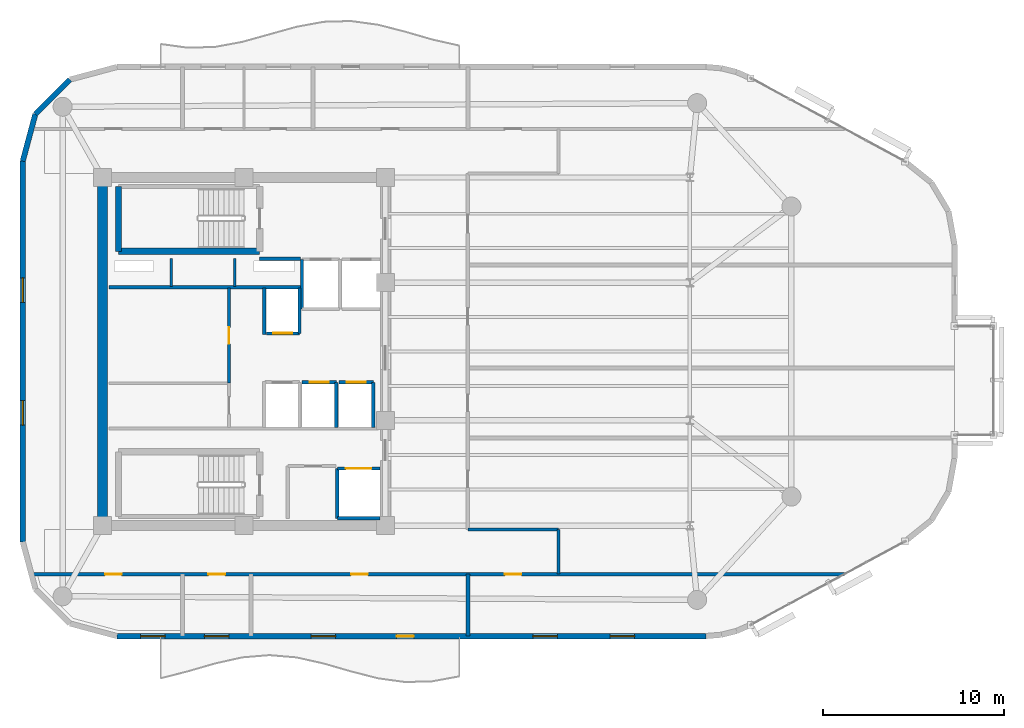
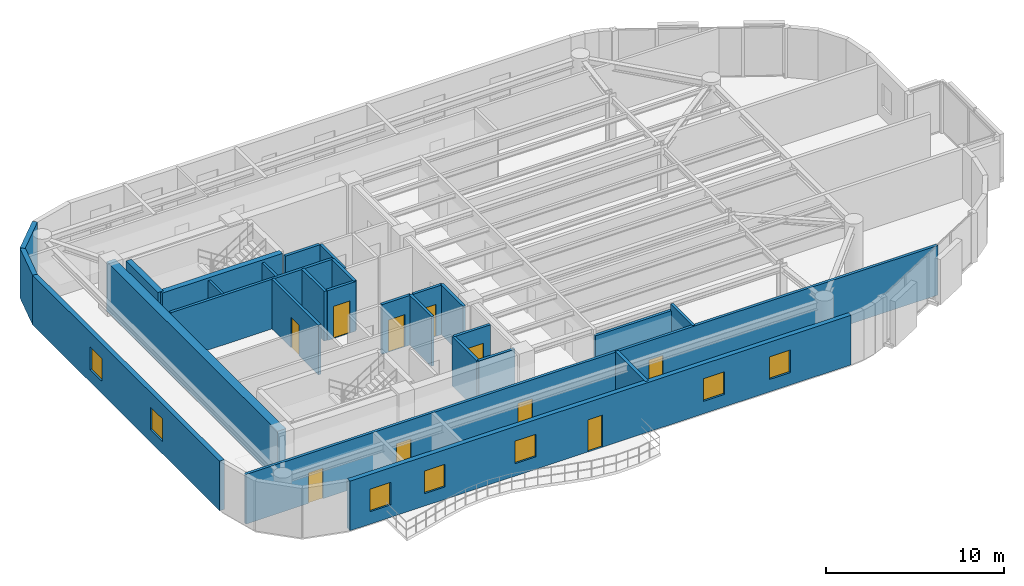
# One storey, part 10 of 14: 27 walls, 10 doors, 7 windows, 17 openings.
"""IFC4 building model written with IfcOpenShell, lengths in metres."""

from ifc_helpers import new_model, si_unit, direction, frame, frame_2d, origin, place, context, subcontext, project, spatial, rectangle, extrude, material, layer, layer_set, type_object, element, fill, save


model = new_model("IFC4")

# Units and contexts
model_context = context("Model", 3, precision=1e-05, world=origin(), true_north=direction((0.0, 1.0)))
body_context = subcontext(model_context, "Body", "Model", "MODEL_VIEW")
ifc_project = project(units=[si_unit("LENGTHUNIT", "METRE"), si_unit("AREAUNIT", "SQUARE_METRE"), si_unit("VOLUMEUNIT", "CUBIC_METRE"), si_unit("PLANEANGLEUNIT", "RADIAN"), si_unit("MASSUNIT", "GRAM", prefix="KILO")], contexts=[model_context])

# Site, building, storey
site_placement = place(None, origin())
site = spatial("IfcSite", under=ifc_project, at=site_placement, CompositionType="ELEMENT")
building_placement = place(site_placement, origin())
building = spatial("IfcBuilding", under=site, at=building_placement, Name="An Khanh Terracotta Commons", CompositionType="ELEMENT")
storey_placement = place(building_placement, frame((0.0, 0.0, 219.300048828125)))
storey = spatial("IfcBuildingStorey", under=building, at=storey_placement, Name="L57", CompositionType="ELEMENT", Elevation=219.300048828125)

# Walls
ifc_material_1 = material(Name="Concrete C50/60", Category="concrete")
ifc_layer_1 = layer(ifc_material_1, 0.550048828125, Name="Concrete C50/60")
ifc_layer_set_1 = layer_set([ifc_layer_1], Name="Concrete C50/60")
wall_type_1 = type_object("IfcWallType", Name="WALL-CORE-550", PredefinedType="SHEAR", material=ifc_layer_set_1)
wall_1_placement = place(storey_placement, frame((21.60009765625, 14.39990234375, 0.0), z_axis=(0.0, 0.0, 1.0), x_axis=(0.0, 1.0, 0.0)))
element("IfcWall", 1, at=wall_1_placement, inside=storey, type_object=wall_type_1, Name="L57 Core Wall CWALL-L57-W", PredefinedType="SHEAR", context=body_context, shape_type="SweptSolid", body=[
    extrude(rectangle(XDim=19.2001953125, YDim=0.550048828125, at=frame_2d((9.60009765625, 0.0))), origin(), (0.0, 0.0, 1.0), 3.39990234375),
])
ifc_material_2 = material(Name="Fire-Rated Gypsum Board on Steel Stud", Category="steel")
ifc_layer_2 = layer(ifc_material_2, 0.179931640625, Name="Fire-Rated Gypsum Board on Steel Stud")
ifc_layer_set_2 = layer_set([ifc_layer_2], Name="Fire-Rated Gypsum Board on Steel Stud")
wall_type_2 = type_object("IfcWallType", Name="WALL-CORR-180", PredefinedType="PARTITIONING", material=ifc_layer_set_2)
wall_2_placement = place(storey_placement, frame((30.27001953125, 29.1201171875, 0.0), z_axis=(0.0, 0.0, 1.0), x_axis=(1.0, 0.0, 0.0)))
element("IfcWall", 2, at=wall_2_placement, inside=storey, type_object=wall_type_2, Name="L57 Core Wall FFLW-L57-S", PredefinedType="PARTITIONING", context=body_context, shape_type="SweptSolid", body=[
    extrude(rectangle(XDim=2.239990234375, YDim=0.179931640625, at=frame_2d((1.1201171875, 0.0))), origin(), (0.0, 0.0, 1.0), 3.39990234375),
])
wall_3_placement = place(storey_placement, frame((21.949951171875, 27.5400390625, 0.0), z_axis=(0.0, 0.0, 1.0), x_axis=(1.0, 0.0, 0.0)))
element("IfcWall", 3, at=wall_3_placement, inside=storey, type_object=wall_type_2, Name="L57 Core Wall RSRW-L57-S", PredefinedType="PARTITIONING", context=body_context, shape_type="SweptSolid", body=[
    extrude(rectangle(XDim=10.56005859375, YDim=0.179931640625, at=frame_2d((5.280029296875, 0.0))), origin(), (0.0, 0.0, 1.0), 3.39990234375),
])
wall_4_placement = place(storey_placement, frame((32.60009765625, 29.080078125, 0.0), z_axis=(0.0, 0.0, 1.0), x_axis=(0.0, -1.0, 0.0)))
element("IfcWall", 4, at=wall_4_placement, inside=storey, type_object=wall_type_2, Name="L57 Core Wall LSH-L57-FFL-01-W", PredefinedType="PARTITIONING", context=body_context, shape_type="SweptSolid", body=[
    extrude(rectangle(XDim=2.72998046875, YDim=0.179931640625, at=frame_2d((1.364990234375, 0.0))), origin(), (0.0, 0.0, 1.0), 3.39990234375),
])

# Wall, opening, door
wall_5_placement = place(storey_placement, frame((34.550048828125, 17.550048828125, 0.0), z_axis=(0.0, 0.0, 1.0), x_axis=(1.0, 0.0, 0.0)))
wall_5 = element("IfcWall", 5, at=wall_5_placement, inside=storey, type_object=wall_type_2, Name="L57 Core Wall LSH-L57-SVL-01-N", PredefinedType="PARTITIONING", context=body_context, shape_type="SweptSolid", body=[
    extrude(rectangle(XDim=2.349853515625, YDim=0.179931640625, at=frame_2d((1.1748046875, 0.0))), origin(), (0.0, 0.0, 1.0), 3.39990234375),
])
opening_1_placement = place(wall_5_placement, frame((0.47509765625, 0.0, 0.0)))
opening_1 = element("IfcOpeningElement", 6, at=opening_1_placement, cuts=wall_5, Name="Opening LD-SVL-01-L57", PredefinedType="OPENING", context=body_context, shape_type="SweptSolid", body=[
    extrude(rectangle(XDim=1.39990234375, YDim=2.300048828125, at=frame_2d((0.699951171875, 1.14990234375))), frame((0.0, 0.099853515625, 0.0), z_axis=(0.0, -1.0, 0.0), x_axis=(1.0, 0.0, 0.0)), (0.0, 0.0, 1.0), 0.199951171875),
])
ifc_material_3 = material(Name="Heavy-Duty Stainless Steel Goods Landing Door", Category="steel")
door_type_1 = type_object("IfcDoorType", Name="DOOR-LD-SVL-1400", OperationType="NOTDEFINED", PredefinedType="DOOR", material=ifc_material_3)
door_1_placement = place(opening_1_placement, origin())
door_1 = element("IfcDoor", 7, at=door_1_placement, inside=storey, type_object=door_type_1, Name="L57 Lift SVL-01 Sliding Landing Door", OperationType="DOUBLE_DOOR_SLIDING", OverallHeight=2.300048828125, OverallWidth=1.39990234375, PredefinedType="DOOR", context=body_context, shape_type="SweptSolid", body=[
    extrude(rectangle(XDim=1.39990234375, YDim=2.300048828125, at=frame_2d((0.699951171875, 1.14990234375))), frame((0.0, 0.02490234375, 0.0), z_axis=(0.0, -1.0, 0.0), x_axis=(1.0, 0.0, 0.0)), (0.0, 0.0, 1.0), 0.050048828125),
])
fill(opening_1, door_1)

# Walls
wall_6_placement = place(storey_placement, frame((36.89990234375, 14.800048828125, 0.0), z_axis=(0.0, 0.0, 1.0), x_axis=(-1.0, 0.0, 0.0)))
element("IfcWall", 8, at=wall_6_placement, inside=storey, type_object=wall_type_2, Name="L57 Core Wall LSH-L57-SVL-01-S", PredefinedType="PARTITIONING", context=body_context, shape_type="SweptSolid", body=[
    extrude(rectangle(XDim=2.349853515625, YDim=0.179931640625, at=frame_2d((1.1748046875, 0.0))), origin(), (0.0, 0.0, 1.0), 3.39990234375),
])
wall_7_placement = place(storey_placement, frame((34.550048828125, 17.550048828125, 0.0), z_axis=(0.0, 0.0, 1.0), x_axis=(0.0, -1.0, 0.0)))
element("IfcWall", 9, at=wall_7_placement, inside=storey, type_object=wall_type_2, Name="L57 Core Wall LSH-L57-SVL-01-W", PredefinedType="PARTITIONING", context=body_context, shape_type="SweptSolid", body=[
    extrude(rectangle(XDim=2.75, YDim=0.179931640625, at=frame_2d((1.375, 0.0))), origin(), (0.0, 0.0, 1.0), 3.39990234375),
])

# Wall, opening, door
wall_8_placement = place(storey_placement, frame((32.4599609375, 25.0, 0.0), z_axis=(0.0, 0.0, 1.0), x_axis=(-1.0, 0.0, 0.0)))
wall_8 = element("IfcWall", 10, at=wall_8_placement, inside=storey, type_object=wall_type_2, Name="L57 Core Wall LSH-L57-PL-H1-S", PredefinedType="PARTITIONING", context=body_context, shape_type="SweptSolid", body=[
    extrude(rectangle(XDim=1.820068359375, YDim=0.179931640625, at=frame_2d((0.91015625, 0.0))), origin(), (0.0, 0.0, 1.0), 3.39990234375),
])
opening_2_placement = place(wall_8_placement, frame((0.385009765625, 0.0, 0.0)))
opening_2 = element("IfcOpeningElement", 11, at=opening_2_placement, cuts=wall_8, Name="Opening LD-PL-H1-L57", PredefinedType="OPENING", context=body_context, shape_type="SweptSolid", body=[
    extrude(rectangle(XDim=1.050048828125, YDim=2.199951171875, at=frame_2d((0.52490234375, 1.10009765625))), frame((0.0, 0.099853515625, 0.0), z_axis=(0.0, -1.0, 0.0), x_axis=(1.0, 0.0, 0.0)), (0.0, 0.0, 1.0), 0.199951171875),
])
ifc_material_4 = material(Name="Brushed Stainless Steel High-Rise Landing Door", Category="steel")
door_type_2 = type_object("IfcDoorType", Name="DOOR-LD-PAXH-1050", OperationType="NOTDEFINED", PredefinedType="DOOR", material=ifc_material_4)
door_2_placement = place(opening_2_placement, origin())
door_2 = element("IfcDoor", 12, at=door_2_placement, inside=storey, type_object=door_type_2, Name="L57 Lift PL-H1 Sliding Landing Door", OperationType="DOUBLE_DOOR_SLIDING", OverallHeight=2.199951171875, OverallWidth=1.050048828125, PredefinedType="DOOR", context=body_context, shape_type="SweptSolid", body=[
    extrude(rectangle(XDim=1.050048828125, YDim=2.199951171875, at=frame_2d((0.52490234375, 1.10009765625))), frame((0.0, 0.02490234375, 0.0), z_axis=(0.0, -1.0, 0.0), x_axis=(1.0, 0.0, 0.0)), (0.0, 0.0, 1.0), 0.050048828125),
])
fill(opening_2, door_2)

# Wall
wall_9_placement = place(storey_placement, frame((32.4599609375, 25.0, 0.0), z_axis=(0.0, 0.0, 1.0), x_axis=(0.0, 1.0, 0.0)))
element("IfcWall", 13, at=wall_9_placement, inside=storey, type_object=wall_type_2, Name="L57 Core Wall LSH-L57-PL-H1-E", PredefinedType="PARTITIONING", context=body_context, shape_type="SweptSolid", body=[
    extrude(rectangle(XDim=2.5, YDim=0.179931640625, at=frame_2d((1.25, 0.0))), origin(), (0.0, 0.0, 1.0), 3.39990234375),
])

# Wall, opening, door
wall_10_placement = place(storey_placement, frame((32.60009765625, 22.300048828125, 0.0), z_axis=(0.0, 0.0, 1.0), x_axis=(1.0, 0.0, 0.0)))
wall_10 = element("IfcWall", 14, at=wall_10_placement, inside=storey, type_object=wall_type_2, Name="L57 Core Wall LSH-L57-PL-H3-N", PredefinedType="PARTITIONING", context=body_context, shape_type="SweptSolid", body=[
    extrude(rectangle(XDim=1.89990234375, YDim=0.179931640625, at=frame_2d((0.949951171875, 0.0))), origin(), (0.0, 0.0, 1.0), 3.39990234375),
])
opening_3_placement = place(wall_10_placement, frame((0.425048828125, 0.0, 0.0)))
opening_3 = element("IfcOpeningElement", 15, at=opening_3_placement, cuts=wall_10, Name="Opening LD-PL-H3-L57", PredefinedType="OPENING", context=body_context, shape_type="SweptSolid", body=[
    extrude(rectangle(XDim=1.050048828125, YDim=2.199951171875, at=frame_2d((0.52490234375, 1.10009765625))), frame((0.0, 0.099853515625, 0.0), z_axis=(0.0, -1.0, 0.0), x_axis=(1.0, 0.0, 0.0)), (0.0, 0.0, 1.0), 0.199951171875),
])
door_3_placement = place(opening_3_placement, origin())
door_3 = element("IfcDoor", 16, at=door_3_placement, inside=storey, type_object=door_type_2, Name="L57 Lift PL-H3 Sliding Landing Door", OperationType="DOUBLE_DOOR_SLIDING", OverallHeight=2.199951171875, OverallWidth=1.050048828125, PredefinedType="DOOR", context=body_context, shape_type="SweptSolid", body=[
    extrude(rectangle(XDim=1.050048828125, YDim=2.199951171875, at=frame_2d((0.52490234375, 1.10009765625))), frame((0.0, 0.02490234375, 0.0), z_axis=(0.0, -1.0, 0.0), x_axis=(1.0, 0.0, 0.0)), (0.0, 0.0, 1.0), 0.050048828125),
])
fill(opening_3, door_3)

# Wall
wall_11_placement = place(storey_placement, frame((34.5, 19.800048828125, 0.0), z_axis=(0.0, 0.0, 1.0), x_axis=(0.0, 1.0, 0.0)))
element("IfcWall", 17, at=wall_11_placement, inside=storey, type_object=wall_type_2, Name="L57 Core Wall LSH-L57-PL-H3-E", PredefinedType="PARTITIONING", context=body_context, shape_type="SweptSolid", body=[
    extrude(rectangle(XDim=2.5, YDim=0.179931640625, at=frame_2d((1.25, 0.0))), origin(), (0.0, 0.0, 1.0), 3.39990234375),
])

# Wall, opening, door
wall_12_placement = place(storey_placement, frame((34.639892578125, 22.300048828125, 0.0), z_axis=(0.0, 0.0, 1.0), x_axis=(1.0, 0.0, 0.0)))
wall_12 = element("IfcWall", 18, at=wall_12_placement, inside=storey, type_object=wall_type_2, Name="L57 Core Wall LSH-L57-PL-H4-N", PredefinedType="PARTITIONING", context=body_context, shape_type="SweptSolid", body=[
    extrude(rectangle(XDim=1.900146484375, YDim=0.179931640625, at=frame_2d((0.9501953125, 0.0))), origin(), (0.0, 0.0, 1.0), 3.39990234375),
])
opening_4_placement = place(wall_12_placement, frame((0.425048828125, 0.0, 0.0)))
opening_4 = element("IfcOpeningElement", 19, at=opening_4_placement, cuts=wall_12, Name="Opening LD-PL-H4-L57", PredefinedType="OPENING", context=body_context, shape_type="SweptSolid", body=[
    extrude(rectangle(XDim=1.050048828125, YDim=2.199951171875, at=frame_2d((0.52490234375, 1.10009765625))), frame((0.0, 0.099853515625, 0.0), z_axis=(0.0, -1.0, 0.0), x_axis=(1.0, 0.0, 0.0)), (0.0, 0.0, 1.0), 0.199951171875),
])
door_4_placement = place(opening_4_placement, origin())
door_4 = element("IfcDoor", 20, at=door_4_placement, inside=storey, type_object=door_type_2, Name="L57 Lift PL-H4 Sliding Landing Door", OperationType="DOUBLE_DOOR_SLIDING", OverallHeight=2.199951171875, OverallWidth=1.050048828125, PredefinedType="DOOR", context=body_context, shape_type="SweptSolid", body=[
    extrude(rectangle(XDim=1.050048828125, YDim=2.199951171875, at=frame_2d((0.52490234375, 1.10009765625))), frame((0.0, 0.02490234375, 0.0), z_axis=(0.0, -1.0, 0.0), x_axis=(1.0, 0.0, 0.0)), (0.0, 0.0, 1.0), 0.050048828125),
])
fill(opening_4, door_4)

# Walls
wall_13_placement = place(storey_placement, frame((36.5400390625, 19.800048828125, 0.0), z_axis=(0.0, 0.0, 1.0), x_axis=(0.0, 1.0, 0.0)))
element("IfcWall", 21, at=wall_13_placement, inside=storey, type_object=wall_type_2, Name="L57 Core Wall LSH-L57-PL-H4-E", PredefinedType="PARTITIONING", context=body_context, shape_type="SweptSolid", body=[
    extrude(rectangle(XDim=2.5, YDim=0.179931640625, at=frame_2d((1.25, 0.0))), origin(), (0.0, 0.0, 1.0), 3.39990234375),
])
wall_14_placement = place(storey_placement, frame((30.52001953125, 24.949951171875, 0.0), z_axis=(0.0, 0.0, 1.0), x_axis=(0.0, 1.0, 0.0)))
element("IfcWall", 22, at=wall_14_placement, inside=storey, type_object=wall_type_2, Name="L57 Core Wall RECW-L57-BE1", PredefinedType="PARTITIONING", context=body_context, shape_type="SweptSolid", body=[
    extrude(rectangle(XDim=2.550048828125, YDim=0.179931640625, at=frame_2d((1.27490234375, 0.0))), origin(), (0.0, 0.0, 1.0), 3.39990234375),
])

# Wall, opening, door
wall_15_placement = place(storey_placement, frame((28.580078125, 22.25, 0.0), z_axis=(0.0, 0.0, 1.0), x_axis=(0.0, 1.0, 0.0)))
wall_15 = element("IfcWall", 23, at=wall_15_placement, inside=storey, type_object=wall_type_2, Name="L57 Core Wall RECW-L57-E1", PredefinedType="PARTITIONING", context=body_context, shape_type="SweptSolid", body=[
    extrude(rectangle(XDim=5.25, YDim=0.179931640625, at=frame_2d((2.625, 0.0))), origin(), (0.0, 0.0, 1.0), 3.39990234375),
])
opening_5_placement = place(wall_15_placement, frame((2.1650390625, 0.0, 0.0)))
opening_5 = element("IfcOpeningElement", 24, at=opening_5_placement, cuts=wall_15, Name="Opening D-RM", PredefinedType="OPENING", context=body_context, shape_type="SweptSolid", body=[
    extrude(rectangle(XDim=0.919921875, YDim=2.10009765625, at=frame_2d((0.4599609375, 1.050048828125))), frame((0.0, 0.099853515625, 0.0), z_axis=(0.0, -1.0, 0.0), x_axis=(1.0, 0.0, 0.0)), (0.0, 0.0, 1.0), 0.199951171875),
])
ifc_material_5 = material(Name="Engineered Hardwood Timber Leaf", Category="wood")
door_type_3 = type_object("IfcDoorType", Name="DOOR-INT-920", OperationType="NOTDEFINED", PredefinedType="DOOR", material=ifc_material_5)
door_5_placement = place(opening_5_placement, origin())
door_5 = element("IfcDoor", 25, at=door_5_placement, inside=storey, type_object=door_type_3, Name="L57 Quiet Fellowship Study Room Door", OperationType="SINGLE_SWING_RIGHT", OverallHeight=2.10009765625, OverallWidth=0.919921875, PredefinedType="DOOR", context=body_context, shape_type="SweptSolid", body=[
    extrude(rectangle(XDim=0.919921875, YDim=2.10009765625, at=frame_2d((0.4599609375, 1.050048828125))), frame((0.0, 0.02490234375, 0.0), z_axis=(0.0, -1.0, 0.0), x_axis=(1.0, 0.0, 0.0)), (0.0, 0.0, 1.0), 0.050048828125),
])
fill(opening_5, door_5)

# Wall, openings, doors
wall_16_placement = place(storey_placement, frame((17.677001953125, 11.719970703125, 0.0), z_axis=(0.0, 0.0, 1.0), x_axis=(1.0, 0.0, 0.0)))
wall_16 = element("IfcWall", 26, at=wall_16_placement, inside=storey, type_object=wall_type_2, Name="L57 Interior Partition IW-L57-E001", PredefinedType="PARTITIONING", context=body_context, shape_type="SweptSolid", body=[
    extrude(rectangle(XDim=44.85302734375, YDim=0.179931640625, at=frame_2d((22.426513671875, 0.0))), origin(), (0.0, 0.0, 1.0), 3.39990234375),
])
opening_6_placement = place(wall_16_placement, frame((9.762939453125, 0.0, 0.0)))
opening_6 = element("IfcOpeningElement", 27, at=opening_6_placement, cuts=wall_16, Name="Opening D-RM", PredefinedType="OPENING", context=body_context, shape_type="SweptSolid", body=[
    extrude(rectangle(XDim=0.919921875, YDim=2.10009765625, at=frame_2d((0.4599609375, 1.050048828125))), frame((0.0, 0.099853515625, 0.0), z_axis=(0.0, -1.0, 0.0), x_axis=(1.0, 0.0, 0.0)), (0.0, 0.0, 1.0), 0.199951171875),
])
opening_7_placement = place(wall_16_placement, frame((26.113037109375, 0.0, 0.0)))
opening_7 = element("IfcOpeningElement", 28, at=opening_7_placement, cuts=wall_16, Name="Opening D-RM", PredefinedType="OPENING", context=body_context, shape_type="SweptSolid", body=[
    extrude(rectangle(XDim=0.919921875, YDim=2.10009765625, at=frame_2d((0.4599609375, 1.050048828125))), frame((0.0, 0.099853515625, 0.0), z_axis=(0.0, -1.0, 0.0), x_axis=(1.0, 0.0, 0.0)), (0.0, 0.0, 1.0), 0.199951171875),
])
opening_8_placement = place(wall_16_placement, frame((4.06298828125, 0.0, 0.0)))
opening_8 = element("IfcOpeningElement", 29, at=opening_8_placement, cuts=wall_16, Name="Opening D-RM", PredefinedType="OPENING", context=body_context, shape_type="SweptSolid", body=[
    extrude(rectangle(XDim=0.919921875, YDim=2.10009765625, at=frame_2d((0.4599609375, 1.050048828125))), frame((0.0, 0.099853515625, 0.0), z_axis=(0.0, -1.0, 0.0), x_axis=(1.0, 0.0, 0.0)), (0.0, 0.0, 1.0), 0.199951171875),
])
opening_9_placement = place(wall_16_placement, frame((17.637939453125, 0.0, 0.0)))
opening_9 = element("IfcOpeningElement", 30, at=opening_9_placement, cuts=wall_16, Name="Opening D-RM", PredefinedType="OPENING", context=body_context, shape_type="SweptSolid", body=[
    extrude(rectangle(XDim=0.919921875, YDim=2.10009765625, at=frame_2d((0.4599609375, 1.050048828125))), frame((0.0, 0.099853515625, 0.0), z_axis=(0.0, -1.0, 0.0), x_axis=(1.0, 0.0, 0.0)), (0.0, 0.0, 1.0), 0.199951171875),
])
door_6_placement = place(opening_6_placement, origin())
door_6 = element("IfcDoor", 31, at=door_6_placement, inside=storey, type_object=door_type_3, Name="L57 HKP Housekeeping Linen Store Door", OperationType="SINGLE_SWING_RIGHT", OverallHeight=2.10009765625, OverallWidth=0.919921875, PredefinedType="DOOR", context=body_context, shape_type="SweptSolid", body=[
    extrude(rectangle(XDim=0.919921875, YDim=2.10009765625, at=frame_2d((0.4599609375, 1.050048828125))), frame((0.0, 0.02490234375, 0.0), z_axis=(0.0, -1.0, 0.0), x_axis=(1.0, 0.0, 0.0)), (0.0, 0.0, 1.0), 0.050048828125),
])
fill(opening_6, door_6)
door_7_placement = place(opening_7_placement, origin())
door_7 = element("IfcDoor", 32, at=door_7_placement, inside=storey, type_object=door_type_3, Name="L57 FANS Quiet Focus Office Door", OperationType="SINGLE_SWING_RIGHT", OverallHeight=2.10009765625, OverallWidth=0.919921875, PredefinedType="DOOR", context=body_context, shape_type="SweptSolid", body=[
    extrude(rectangle(XDim=0.919921875, YDim=2.10009765625, at=frame_2d((0.4599609375, 1.050048828125))), frame((0.0, 0.02490234375, 0.0), z_axis=(0.0, -1.0, 0.0), x_axis=(1.0, 0.0, 0.0)), (0.0, 0.0, 1.0), 0.050048828125),
])
fill(opening_7, door_7)
door_8_placement = place(opening_8_placement, origin())
door_8 = element("IfcDoor", 33, at=door_8_placement, inside=storey, type_object=door_type_3, Name="L57 SW1 Student Reading Library Door", OperationType="SINGLE_SWING_LEFT", OverallHeight=2.10009765625, OverallWidth=0.919921875, PredefinedType="DOOR", context=body_context, shape_type="SweptSolid", body=[
    extrude(rectangle(XDim=0.919921875, YDim=2.10009765625, at=frame_2d((0.4599609375, 1.050048828125))), frame((0.0, 0.02490234375, 0.0), z_axis=(0.0, -1.0, 0.0), x_axis=(1.0, 0.0, 0.0)), (0.0, 0.0, 1.0), 0.050048828125),
])
fill(opening_8, door_8)
door_9_placement = place(opening_9_placement, origin())
door_9 = element("IfcDoor", 34, at=door_9_placement, inside=storey, type_object=door_type_3, Name="L57 SWE Music Practice Room Door", OperationType="SINGLE_SWING_RIGHT", OverallHeight=2.10009765625, OverallWidth=0.919921875, PredefinedType="DOOR", context=body_context, shape_type="SweptSolid", body=[
    extrude(rectangle(XDim=0.919921875, YDim=2.10009765625, at=frame_2d((0.4599609375, 1.050048828125))), frame((0.0, 0.02490234375, 0.0), z_axis=(0.0, -1.0, 0.0), x_axis=(1.0, 0.0, 0.0)), (0.0, 0.0, 1.0), 0.050048828125),
])
fill(opening_9, door_9)

# Walls
wall_17_placement = place(storey_placement, frame((41.75, 14.179931640625, 0.0), z_axis=(0.0, 0.0, 1.0), x_axis=(1.0, 0.0, 0.0)))
element("IfcWall", 35, at=wall_17_placement, inside=storey, type_object=wall_type_2, Name="L57 Interior Partition IW-L57-E002", PredefinedType="PARTITIONING", context=body_context, shape_type="SweptSolid", body=[
    extrude(rectangle(XDim=5.0, YDim=0.179931640625, at=frame_2d((2.5, 0.0))), origin(), (0.0, 0.0, 1.0), 2.98193359375),
])
wall_18_placement = place(storey_placement, frame((46.75, 11.719970703125, 0.0), z_axis=(0.0, 0.0, 1.0), x_axis=(0.0, 1.0, 0.0)))
element("IfcWall", 36, at=wall_18_placement, inside=storey, type_object=wall_type_2, Name="L57 Interior Partition IW-L57-E016", PredefinedType="PARTITIONING", context=body_context, shape_type="SweptSolid", body=[
    extrude(rectangle(XDim=2.4599609375, YDim=0.179931640625, at=frame_2d((1.22998046875, 0.0))), origin(), (0.0, 0.0, 1.0), 3.39990234375),
])

# Wall, openings, door, windows
ifc_material_6 = material(Name="Precast concrete C40/50", Category="concrete")
ifc_layer_3 = layer(ifc_material_6, 0.300048828125, Name="Precast concrete C40/50")
ifc_layer_set_3 = layer_set([ifc_layer_3], Name="Precast concrete C40/50")
wall_type_3 = type_object("IfcWallType", Name="WALL-EXT-300", PredefinedType="SOLIDWALL", material=ifc_layer_set_3)
wall_19_placement = place(storey_placement, frame((22.39990234375, 8.300048828125, 0.0), z_axis=(0.0, 0.0, 1.0), x_axis=(1.0, 0.0, 0.0)))
wall_19 = element("IfcWall", 37, at=wall_19_placement, inside=storey, type_object=wall_type_3, Name="L57 Insulated Terracotta Exterior Wall 4", PredefinedType="SOLIDWALL", context=body_context, shape_type="SweptSolid", body=[
    extrude(rectangle(XDim=32.485107421875, YDim=0.300048828125, at=frame_2d((16.24267578125, 0.0))), origin(), (0.0, 0.0, 1.0), 3.39990234375),
])
opening_10_placement = place(wall_19_placement, frame((15.425048828125, 0.0, 0.0)))
opening_10 = element("IfcOpeningElement", 38, at=opening_10_placement, cuts=wall_19, Name="Opening D-BAL", PredefinedType="OPENING", context=body_context, shape_type="SweptSolid", body=[
    extrude(rectangle(XDim=0.949951171875, YDim=2.199951171875, at=frame_2d((0.47509765625, 1.10009765625))), frame((0.0, 0.159912109375, 0.0), z_axis=(0.0, -1.0, 0.0), x_axis=(1.0, 0.0, 0.0)), (0.0, 0.0, 1.0), 0.320068359375),
])
opening_11_placement = place(wall_19_placement, frame((1.300048828125, 0.0, 0.85009765625)))
opening_11 = element("IfcOpeningElement", 39, at=opening_11_placement, cuts=wall_19, Name="Opening W-04", PredefinedType="OPENING", context=body_context, shape_type="SweptSolid", body=[
    extrude(rectangle(XDim=1.35009765625, YDim=1.550048828125, at=frame_2d((0.675048828125, 0.77490234375))), frame((0.0, 0.159912109375, 0.0), z_axis=(0.0, -1.0, 0.0), x_axis=(1.0, 0.0, 0.0)), (0.0, 0.0, 1.0), 0.320068359375),
])
opening_12_placement = place(wall_19_placement, frame((4.824951171875, 0.0, 0.85009765625)))
opening_12 = element("IfcOpeningElement", 40, at=opening_12_placement, cuts=wall_19, Name="Opening W-04", PredefinedType="OPENING", context=body_context, shape_type="SweptSolid", body=[
    extrude(rectangle(XDim=1.35009765625, YDim=1.550048828125, at=frame_2d((0.675048828125, 0.77490234375))), frame((0.0, 0.159912109375, 0.0), z_axis=(0.0, -1.0, 0.0), x_axis=(1.0, 0.0, 0.0)), (0.0, 0.0, 1.0), 0.320068359375),
])
opening_13_placement = place(wall_19_placement, frame((10.7080078125, 0.0, 0.85009765625)))
opening_13 = element("IfcOpeningElement", 41, at=opening_13_placement, cuts=wall_19, Name="Opening W-04", PredefinedType="OPENING", context=body_context, shape_type="SweptSolid", body=[
    extrude(rectangle(XDim=1.35009765625, YDim=1.550048828125, at=frame_2d((0.675048828125, 0.77490234375))), frame((0.0, 0.159912109375, 0.0), z_axis=(0.0, -1.0, 0.0), x_axis=(1.0, 0.0, 0.0)), (0.0, 0.0, 1.0), 0.320068359375),
])
opening_14_placement = place(wall_19_placement, frame((22.93701171875, 0.0, 0.85009765625)))
opening_14 = element("IfcOpeningElement", 42, at=opening_14_placement, cuts=wall_19, Name="Opening W-04", PredefinedType="OPENING", context=body_context, shape_type="SweptSolid", body=[
    extrude(rectangle(XDim=1.35009765625, YDim=1.550048828125, at=frame_2d((0.675048828125, 0.77490234375))), frame((0.0, 0.159912109375, 0.0), z_axis=(0.0, -1.0, 0.0), x_axis=(1.0, 0.0, 0.0)), (0.0, 0.0, 1.0), 0.320068359375),
])
opening_15_placement = place(wall_19_placement, frame((27.197998046875, 0.0, 0.85009765625)))
opening_15 = element("IfcOpeningElement", 43, at=opening_15_placement, cuts=wall_19, Name="Opening W-04", PredefinedType="OPENING", context=body_context, shape_type="SweptSolid", body=[
    extrude(rectangle(XDim=1.35009765625, YDim=1.550048828125, at=frame_2d((0.675048828125, 0.77490234375))), frame((0.0, 0.159912109375, 0.0), z_axis=(0.0, -1.0, 0.0), x_axis=(1.0, 0.0, 0.0)), (0.0, 0.0, 1.0), 0.320068359375),
])
ifc_material_7 = material(Name="Thermally Broken Aluminium and Low-E Glass", Category="aluminium")
door_type_4 = type_object("IfcDoorType", Name="DOOR-BALC-950", OperationType="NOTDEFINED", PredefinedType="DOOR", material=ifc_material_7)
door_10_placement = place(opening_10_placement, origin())
door_10 = element("IfcDoor", 44, at=door_10_placement, inside=storey, type_object=door_type_4, Name="L57 S Wave Balcony Glazed Door", OperationType="SINGLE_SWING_LEFT", OverallHeight=2.199951171875, OverallWidth=0.949951171875, PredefinedType="DOOR", context=body_context, shape_type="SweptSolid", body=[
    extrude(rectangle(XDim=0.949951171875, YDim=2.199951171875, at=frame_2d((0.47509765625, 1.10009765625))), frame((0.0, 0.02490234375, 0.0), z_axis=(0.0, -1.0, 0.0), x_axis=(1.0, 0.0, 0.0)), (0.0, 0.0, 1.0), 0.050048828125),
])
fill(opening_10, door_10)
window_type = type_object("IfcWindowType", Name="WIN-Z4-1350x1550", PartitioningType="SINGLE_PANEL", PredefinedType="WINDOW", material=ifc_material_7)
window_1_placement = place(opening_11_placement, origin())
window_1 = element("IfcWindow", 45, at=window_1_placement, inside=storey, type_object=window_type, Name="L57 Operable Casement Window 4.1", OverallHeight=1.550048828125, OverallWidth=1.35009765625, PartitioningType="SINGLE_PANEL", PredefinedType="WINDOW", context=body_context, shape_type="SweptSolid", body=[
    extrude(rectangle(XDim=1.35009765625, YDim=1.550048828125, at=frame_2d((0.675048828125, 0.77490234375))), frame((0.0, 0.030029296875, 0.0), z_axis=(0.0, -1.0, 0.0), x_axis=(1.0, 0.0, 0.0)), (0.0, 0.0, 1.0), 0.06005859375),
])
fill(opening_11, window_1)
window_2_placement = place(opening_12_placement, origin())
window_2 = element("IfcWindow", 46, at=window_2_placement, inside=storey, type_object=window_type, Name="L57 Operable Casement Window 4.2", OverallHeight=1.550048828125, OverallWidth=1.35009765625, PartitioningType="SINGLE_PANEL", PredefinedType="WINDOW", context=body_context, shape_type="SweptSolid", body=[
    extrude(rectangle(XDim=1.35009765625, YDim=1.550048828125, at=frame_2d((0.675048828125, 0.77490234375))), frame((0.0, 0.030029296875, 0.0), z_axis=(0.0, -1.0, 0.0), x_axis=(1.0, 0.0, 0.0)), (0.0, 0.0, 1.0), 0.06005859375),
])
fill(opening_12, window_2)
window_3_placement = place(opening_13_placement, origin())
window_3 = element("IfcWindow", 47, at=window_3_placement, inside=storey, type_object=window_type, Name="L57 Operable Casement Window 4.3", OverallHeight=1.550048828125, OverallWidth=1.35009765625, PartitioningType="SINGLE_PANEL", PredefinedType="WINDOW", context=body_context, shape_type="SweptSolid", body=[
    extrude(rectangle(XDim=1.35009765625, YDim=1.550048828125, at=frame_2d((0.675048828125, 0.77490234375))), frame((0.0, 0.030029296875, 0.0), z_axis=(0.0, -1.0, 0.0), x_axis=(1.0, 0.0, 0.0)), (0.0, 0.0, 1.0), 0.06005859375),
])
fill(opening_13, window_3)
window_4_placement = place(opening_14_placement, origin())
window_4 = element("IfcWindow", 48, at=window_4_placement, inside=storey, type_object=window_type, Name="L57 Operable Casement Window 4.4", OverallHeight=1.550048828125, OverallWidth=1.35009765625, PartitioningType="SINGLE_PANEL", PredefinedType="WINDOW", context=body_context, shape_type="SweptSolid", body=[
    extrude(rectangle(XDim=1.35009765625, YDim=1.550048828125, at=frame_2d((0.675048828125, 0.77490234375))), frame((0.0, 0.030029296875, 0.0), z_axis=(0.0, -1.0, 0.0), x_axis=(1.0, 0.0, 0.0)), (0.0, 0.0, 1.0), 0.06005859375),
])
fill(opening_14, window_4)
window_5_placement = place(opening_15_placement, origin())
window_5 = element("IfcWindow", 49, at=window_5_placement, inside=storey, type_object=window_type, Name="L57 Operable Casement Window 4.5", OverallHeight=1.550048828125, OverallWidth=1.35009765625, PartitioningType="SINGLE_PANEL", PredefinedType="WINDOW", context=body_context, shape_type="SweptSolid", body=[
    extrude(rectangle(XDim=1.35009765625, YDim=1.550048828125, at=frame_2d((0.675048828125, 0.77490234375))), frame((0.0, 0.030029296875, 0.0), z_axis=(0.0, -1.0, 0.0), x_axis=(1.0, 0.0, 0.0)), (0.0, 0.0, 1.0), 0.06005859375),
])
fill(opening_15, window_5)

# Walls
wall_20_placement = place(storey_placement, frame((19.800048828125, 39.0029296875, 0.0), z_axis=(0.0, 0.0, 1.0), x_axis=(-0.707152139074, -0.70706142039, 0.0)))
element("IfcWall", 50, at=wall_20_placement, inside=storey, type_object=wall_type_3, Name="L57 Insulated Terracotta Exterior Wall 22", PredefinedType="SOLIDWALL", context=body_context, shape_type="SweptSolid", body=[
    extrude(rectangle(XDim=2.691162109375, YDim=0.300048828125, at=frame_2d((1.345703125, 0.0))), origin(), (0.0, 0.0, 1.0), 3.39990234375),
])
wall_21_placement = place(storey_placement, frame((17.89697265625, 37.10009765625, 0.0), z_axis=(0.0, 0.0, 1.0), x_axis=(-0.258932525951, -0.965895412042, 0.0)))
element("IfcWall", 51, at=wall_21_placement, inside=storey, type_object=wall_type_3, Name="L57 Insulated Terracotta Exterior Wall 23", PredefinedType="SOLIDWALL", context=body_context, shape_type="SweptSolid", body=[
    extrude(rectangle(XDim=2.69189453125, YDim=0.300048828125, at=frame_2d((1.345947265625, 0.0))), origin(), (0.0, 0.0, 1.0), 3.39990234375),
])

# Wall, openings, windows
wall_22_placement = place(storey_placement, frame((17.199951171875, 34.5, 0.0), z_axis=(0.0, 0.0, 1.0), x_axis=(0.0, -1.0, 0.0)))
wall_22 = element("IfcWall", 52, at=wall_22_placement, inside=storey, type_object=wall_type_3, Name="L57 Insulated Terracotta Exterior Wall 24", PredefinedType="SOLIDWALL", context=body_context, shape_type="SweptSolid", body=[
    extrude(rectangle(XDim=21.0, YDim=0.300048828125, at=frame_2d((10.5, 0.0))), origin(), (0.0, 0.0, 1.0), 3.39990234375),
])
opening_16_placement = place(wall_22_placement, frame((6.44189453125, 0.0, 0.85009765625)))
opening_16 = element("IfcOpeningElement", 53, at=opening_16_placement, cuts=wall_22, Name="Opening W-04", PredefinedType="OPENING", context=body_context, shape_type="SweptSolid", body=[
    extrude(rectangle(XDim=1.35009765625, YDim=1.550048828125, at=frame_2d((0.675048828125, 0.77490234375))), frame((0.0, 0.159912109375, 0.0), z_axis=(0.0, -1.0, 0.0), x_axis=(1.0, 0.0, 0.0)), (0.0, 0.0, 1.0), 0.320068359375),
])
opening_17_placement = place(wall_22_placement, frame((13.2080078125, 0.0, 0.85009765625)))
opening_17 = element("IfcOpeningElement", 54, at=opening_17_placement, cuts=wall_22, Name="Opening W-04", PredefinedType="OPENING", context=body_context, shape_type="SweptSolid", body=[
    extrude(rectangle(XDim=1.35009765625, YDim=1.550048828125, at=frame_2d((0.675048828125, 0.77490234375))), frame((0.0, 0.159912109375, 0.0), z_axis=(0.0, -1.0, 0.0), x_axis=(1.0, 0.0, 0.0)), (0.0, 0.0, 1.0), 0.320068359375),
])
window_6_placement = place(opening_16_placement, origin())
window_6 = element("IfcWindow", 55, at=window_6_placement, inside=storey, type_object=window_type, Name="L57 Operable Casement Window 24.1", OverallHeight=1.550048828125, OverallWidth=1.35009765625, PartitioningType="SINGLE_PANEL", PredefinedType="WINDOW", context=body_context, shape_type="SweptSolid", body=[
    extrude(rectangle(XDim=1.35009765625, YDim=1.550048828125, at=frame_2d((0.675048828125, 0.77490234375))), frame((0.0, 0.030029296875, 0.0), z_axis=(0.0, -1.0, 0.0), x_axis=(1.0, 0.0, 0.0)), (0.0, 0.0, 1.0), 0.06005859375),
])
fill(opening_16, window_6)
window_7_placement = place(opening_17_placement, origin())
window_7 = element("IfcWindow", 56, at=window_7_placement, inside=storey, type_object=window_type, Name="L57 Operable Casement Window 24.2", OverallHeight=1.550048828125, OverallWidth=1.35009765625, PartitioningType="SINGLE_PANEL", PredefinedType="WINDOW", context=body_context, shape_type="SweptSolid", body=[
    extrude(rectangle(XDim=1.35009765625, YDim=1.550048828125, at=frame_2d((0.675048828125, 0.77490234375))), frame((0.0, 0.030029296875, 0.0), z_axis=(0.0, -1.0, 0.0), x_axis=(1.0, 0.0, 0.0)), (0.0, 0.0, 1.0), 0.06005859375),
])
fill(opening_17, window_7)

# Walls
ifc_material_8 = material(Name="Acoustic Gypsum Board Partition")
ifc_layer_4 = layer(ifc_material_8, 0.14990234375, Name="Acoustic Gypsum Board Partition")
ifc_layer_set_4 = layer_set([ifc_layer_4], Name="Acoustic Gypsum Board Partition")
wall_type_4 = type_object("IfcWallType", Name="WALL-PART-150", PredefinedType="PARTITIONING", material=ifc_layer_set_4)
for number, where, z_axis, x_axis, name in (
    (57, (25.39990234375, 27.60009765625, 0.0), (0.0, 0.0, 1.0), (0.0, 1.0, 0.0), "L57 Core Wall RSRW-L57-D1"),
    (58, (28.89990234375, 27.60009765625, 0.0), (0.0, 0.0, 1.0), (0.0, 1.0, 0.0), "L57 Core Wall RSRW-L57-D2"),
):
    element("IfcWall", number, at=place(storey_placement, frame(where, z_axis=z_axis, x_axis=x_axis)), inside=storey, type_object=wall_type_4, Name=name, PredefinedType="PARTITIONING", context=body_context, shape_type="SweptSolid", body=[
        extrude(rectangle(XDim=1.52001953125, YDim=0.14990234375, at=frame_2d((0.760009765625, 0.0))), origin(), (0.0, 0.0, 1.0), 3.39990234375),
    ])
ifc_material_9 = material(Name="Acoustic Double-Stud Gypsum and Mineral Wool")
ifc_layer_5 = layer(ifc_material_9, 0.219970703125, Name="Acoustic Double-Stud Gypsum and Mineral Wool")
ifc_layer_set_5 = layer_set([ifc_layer_5], Name="Acoustic Double-Stud Gypsum and Mineral Wool")
wall_type_5 = type_object("IfcWallType", Name="WALL-PARTY-220", PredefinedType="PARTITIONING", material=ifc_layer_set_5)
wall_23_placement = place(storey_placement, frame((41.75, 8.300048828125, 0.0), z_axis=(0.0, 0.0, 1.0), x_axis=(0.0, 1.0, 0.0)))
element("IfcWall", 59, at=wall_23_placement, inside=storey, type_object=wall_type_5, Name="L57 Interior Partition IW-L57-E013", PredefinedType="PARTITIONING", context=body_context, shape_type="SweptSolid", body=[
    extrude(rectangle(XDim=3.419921875, YDim=0.219970703125, at=frame_2d((1.7099609375, 0.0))), origin(), (0.0, 0.0, 1.0), 3.39990234375),
])
ifc_layer_6 = layer(ifc_material_1, 0.35009765625, Name="Concrete C50/60")
ifc_layer_set_6 = layer_set([ifc_layer_6], Name="Concrete C50/60")
wall_type_6 = type_object("IfcWallType", Name="WALL-SHAFT-350", PredefinedType="SOLIDWALL", material=ifc_layer_set_6)
wall_24_placement = place(storey_placement, frame((22.47998046875, 29.530029296875, 0.0), z_axis=(0.0, 0.0, 1.0), x_axis=(1.0, 0.0, 0.0)))
element("IfcWall", 60, at=wall_24_placement, inside=storey, type_object=wall_type_6, Name="L57 Core Wall STW-L57-N-S", PredefinedType="SOLIDWALL", context=body_context, shape_type="SweptSolid", body=[
    extrude(rectangle(XDim=7.7900390625, YDim=0.35009765625, at=frame_2d((3.89501953125, 0.0))), origin(), (0.0, 0.0, 1.0), 3.39990234375),
])
wall_25_placement = place(storey_placement, frame((22.47998046875, 29.530029296875, 0.0), z_axis=(0.0, 0.0, 1.0), x_axis=(0.0, 1.0, 0.0)))
element("IfcWall", 61, at=wall_25_placement, inside=storey, type_object=wall_type_6, Name="L57 Core Wall STW-L57-N-W", PredefinedType="SOLIDWALL", context=body_context, shape_type="SweptSolid", body=[
    extrude(rectangle(XDim=3.580078125, YDim=0.35009765625, at=frame_2d((1.7900390625, 0.0))), origin(), (0.0, 0.0, 1.0), 3.39990234375),
])

save(model, "model.ifc")
